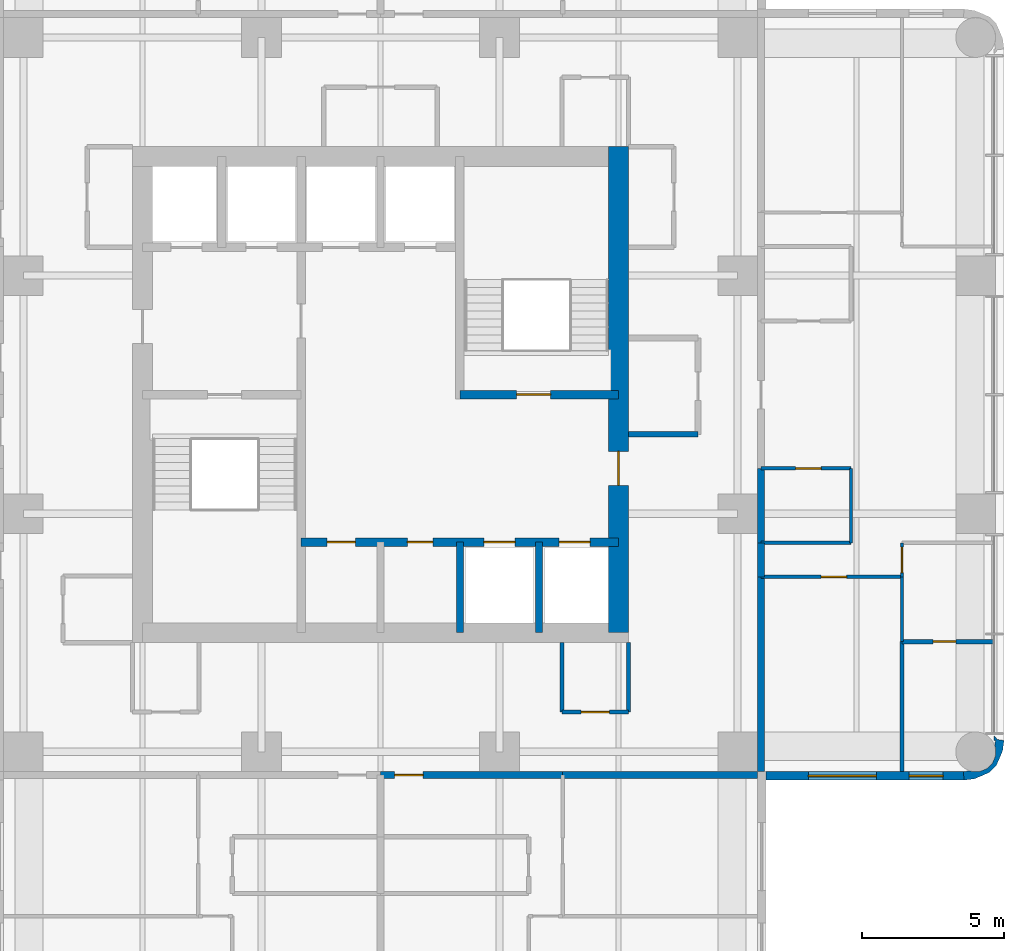
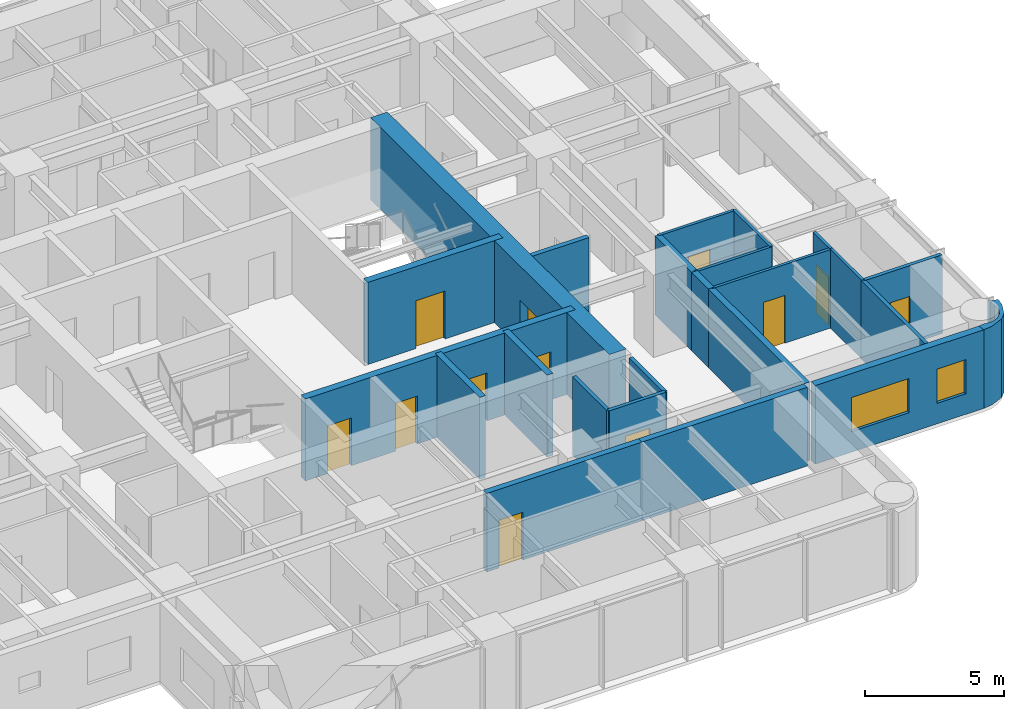
# One storey, part 7 of 11: 24 walls, 12 doors, 2 windows, 14 openings.
"""IFC4 building model written with IfcOpenShell, lengths in metres."""

import ifcopenshell
import ifcopenshell.guid

model = None  # the IFC model being written
_history = None  # IfcOwnerHistory: only IFC2X3 demands one
_inside = {}  # id of a spatial element -> (the spatial element, [elements in it])
_under = {}  # id of a project, library or spatial element -> (it, [spatial elements below it])
_declared = {}  # id of a project -> (the project, [libraries it declares])
_typed = {}  # id of a type object -> (the type object, [elements of that type])
_made_of = {}  # id of a material, layer set ... -> (it, [elements and type objects made of it])


def new_model(schema):
    """Start an empty IFC model of exactly this schema.

    Asked for "IFC4X3", IfcOpenShell would pick the latest addendum, in which some entities
    have other attributes; the version numbers below select the first issue.
    IFC2X3 requires an IfcOwnerHistory on every rooted entity: one is made here for all.
    """
    global model, _history
    if schema == "IFC4X3":
        model = ifcopenshell.file(schema_version=(4, 3, 0, 0))
    else:
        model = ifcopenshell.file(schema=schema)
    _inside.clear()
    _under.clear()
    _declared.clear()
    _typed.clear()
    _made_of.clear()
    _history = None
    if model.schema == "IFC2X3":
        org = make("IfcOrganization", Name="unknown")
        user = make(
            "IfcPersonAndOrganization",
            ThePerson=make("IfcPerson", FamilyName="unknown"),
            TheOrganization=org,
        )
        app = make(
            "IfcApplication",
            ApplicationDeveloper=org,
            Version="unknown",
            ApplicationFullName="unknown",
            ApplicationIdentifier="unknown",
        )
        _history = make(
            "IfcOwnerHistory",
            OwningUser=user,
            OwningApplication=app,
            ChangeAction="ADDED",
            CreationDate=0,
        )
    return model


def make(cls, **values):
    """One entity of the class cls with the attributes given. An attribute that is None is left unset."""
    return model.create_entity(
        cls, **{name: value for name, value in values.items() if value is not None}
    )


def rooted(cls, **values):
    """An entity with a GlobalId (a new one), such as an element, a storey or a relation."""
    return make(cls, GlobalId=ifcopenshell.guid.new(), OwnerHistory=_history, **values)


def si_unit(unit_type, name, prefix=None):
    """IfcSIUnit, for example si_unit("LENGTHUNIT", "METRE", prefix="MILLI")."""
    return make("IfcSIUnit", UnitType=unit_type, Prefix=prefix, Name=name)


def assignment(units):
    """IfcUnitAssignment: the units of a project."""
    return None if units is None else make("IfcUnitAssignment", Units=units)


def point(xyz):
    """IfcCartesianPoint."""
    return None if xyz is None else make("IfcCartesianPoint", Coordinates=xyz)


def direction(xyz):
    """IfcDirection."""
    return None if xyz is None else make("IfcDirection", DirectionRatios=xyz)


def frame(location, z_axis=None, x_axis=None):
    """IfcAxis2Placement3D, a coordinate frame: its origin and axes. An axis left out is left unset."""
    return make(
        "IfcAxis2Placement3D",
        Location=point(location),
        Axis=direction(z_axis),
        RefDirection=direction(x_axis),
    )


def frame_2d(location, x_axis=None):
    """IfcAxis2Placement2D, a coordinate frame in the plane: its origin and x axis."""
    return make(
        "IfcAxis2Placement2D", Location=point(location), RefDirection=direction(x_axis)
    )


def origin():
    """The frame at (0, 0, 0) with its axes left unset."""
    return frame((0.0, 0.0, 0.0))


def place(relative_to, where):
    """IfcLocalPlacement: puts the frame where relative to a parent placement (None: the world)."""
    return make(
        "IfcLocalPlacement", PlacementRelTo=relative_to, RelativePlacement=where
    )


def context(
    kind, dimensions, precision=None, world=None, true_north=None, identifier=None
):
    """IfcGeometricRepresentationContext, for example the 3D "Model" context."""
    return make(
        "IfcGeometricRepresentationContext",
        ContextIdentifier=identifier,
        ContextType=kind,
        CoordinateSpaceDimension=dimensions,
        Precision=precision,
        WorldCoordinateSystem=world,
        TrueNorth=true_north,
    )


def subcontext(parent, identifier, kind, view, scale=None):
    """IfcGeometricRepresentationSubContext, for example "Body" below "Model"."""
    return make(
        "IfcGeometricRepresentationSubContext",
        ContextIdentifier=identifier,
        ContextType=kind,
        ParentContext=parent,
        TargetScale=scale,
        TargetView=view,
    )


def project(units=None, contexts=None):
    """IfcProject with its units and contexts."""
    return rooted(
        "IfcProject",
        Name="project",
        RepresentationContexts=contexts,
        UnitsInContext=assignment(units),
    )


def spatial(cls, under=None, at=None, **own):
    """A site, building, storey or space (cls), placed at a placement, below another one or the project."""
    s = rooted(cls, ObjectPlacement=at, **own)
    if under is not None:
        _under.setdefault(under.id(), (under, []))[1].append(s)
    return s


def polyline(points):
    """IfcPolyline through the points."""
    return make("IfcPolyline", Points=[point(p) for p in points])


def profile(cls, at=None, kind="AREA", **sizes):
    """A parametric profile (cls). Its sizes go by their IFC names, for example OverallWidth=200.0."""
    return make(cls, ProfileType=kind, Position=at, **sizes)


def rectangle(**sizes):
    """IfcRectangleProfileDef."""
    return profile("IfcRectangleProfileDef", **sizes)


def outline(outer, holes=None, kind="AREA"):
    """IfcArbitraryClosedProfileDef: a profile drawn as a closed curve; with holes, ...WithVoids."""
    if holes is None:
        return make("IfcArbitraryClosedProfileDef", ProfileType=kind, OuterCurve=outer)
    return make(
        "IfcArbitraryProfileDefWithVoids",
        ProfileType=kind,
        OuterCurve=outer,
        InnerCurves=holes,
    )


def extrude(swept, where, along, depth):
    """IfcExtrudedAreaSolid: the profile swept, set in the frame where, extruded along a direction by depth."""
    return make(
        "IfcExtrudedAreaSolid",
        SweptArea=swept,
        Position=where,
        ExtrudedDirection=direction(along),
        Depth=depth,
    )


def shape(context_of_items, identifier, shape_type, items):
    """IfcShapeRepresentation: the items that make up one representation, for example the "Body"."""
    return make(
        "IfcShapeRepresentation",
        ContextOfItems=context_of_items,
        RepresentationIdentifier=identifier,
        RepresentationType=shape_type,
        Items=items,
    )


def material(Name=None, Category=None):
    """IfcMaterial."""
    return make("IfcMaterial", Name=Name, Category=Category)


def layer(
    of_material, thickness, ventilated=None, Name=None, Category=None, Priority=None
):
    """IfcMaterialLayer: one layer of a wall or slab, of a material (None: an air gap)."""
    return make(
        "IfcMaterialLayer",
        Material=of_material,
        LayerThickness=thickness,
        IsVentilated=ventilated,
        Name=Name,
        Category=Category,
        Priority=Priority,
    )


def layer_set(layers, Name=None):
    """IfcMaterialLayerSet."""
    return make("IfcMaterialLayerSet", MaterialLayers=layers, LayerSetName=Name)


def made_of(thing, what):
    """Note that an element or type object is made of a material, layer set ...; save() writes the relation."""
    if what is not None:
        _made_of.setdefault(what.id(), (what, []))[1].append(thing)
    return thing


def type_object(cls, material=None, **own):
    """A type object (cls), such as IfcWallType, which elements share."""
    return made_of(rooted(cls, **own), material)


def element(
    cls,
    number,
    at=None,
    inside=None,
    cuts=None,
    type_object=None,
    material=None,
    context=None,
    identifier="Body",
    shape_type=None,
    held_by="IfcProductDefinitionShape",
    body=None,
    shapes=None,
    **own,
):
    """One element of the class cls, such as IfcWall. Its Tag is "e" and its number.

    at: its placement. inside: the storey or other place that contains it. cuts: it is an
    opening in that element (IfcRelVoidsElement). A single representation is given by context,
    identifier, shape_type and body (its items); several are given by shapes. held_by: the class
    of the entity that holds the representations. save() writes the other relations.
    """
    e = rooted(cls, Tag="e%d" % number, ObjectPlacement=at, **own)
    if body is not None:
        shapes = [shape(context, identifier, shape_type, body)]
    if shapes is not None:
        e.Representation = make(held_by, Representations=shapes)
    if inside is not None:
        _inside.setdefault(inside.id(), (inside, []))[1].append(e)
    if cuts is not None:
        rooted(
            "IfcRelVoidsElement", RelatingBuildingElement=cuts, RelatedOpeningElement=e
        )
    if type_object is not None:
        _typed.setdefault(type_object.id(), (type_object, []))[1].append(e)
    return made_of(e, material)


def fill(opening, filler):
    """IfcRelFillsElement: the door or window that sits in an opening."""
    return rooted(
        "IfcRelFillsElement",
        RelatingOpeningElement=opening,
        RelatedBuildingElement=filler,
    )


def aggregate(whole, parts):
    """IfcRelAggregates: a whole, such as a stair, and the parts it consists of."""
    return rooted("IfcRelAggregates", RelatingObject=whole, RelatedObjects=parts)


def save(model, path):
    """Write the relations noted so far, then the file.

    IfcRelAggregates (storeys below a building ...), IfcRelContainedInSpatialStructure (elements
    in a storey), IfcRelDefinesByType, IfcRelAssociatesMaterial and IfcRelDeclares: one each for
    every whole, place, type object, material and project.
    """
    for whole, parts in _under.values():
        aggregate(whole, parts)
    for where, things in _inside.values():
        rooted(
            "IfcRelContainedInSpatialStructure",
            RelatedElements=things,
            RelatingStructure=where,
        )
    for kind, things in _typed.values():
        rooted("IfcRelDefinesByType", RelatedObjects=things, RelatingType=kind)
    for what, things in _made_of.values():
        rooted("IfcRelAssociatesMaterial", RelatedObjects=things, RelatingMaterial=what)
    for by, libraries in _declared.values():
        rooted("IfcRelDeclares", RelatingContext=by, RelatedDefinitions=libraries)
    model.write(path)


model = new_model("IFC4")

# Units and contexts
model_context = context("Model", 3, precision=1e-05, world=origin(), true_north=direction((0.0, 1.0)))
body_context = subcontext(model_context, "Body", "Model", "MODEL_VIEW")
ifc_project = project(units=[si_unit("LENGTHUNIT", "METRE"), si_unit("AREAUNIT", "SQUARE_METRE"), si_unit("VOLUMEUNIT", "CUBIC_METRE"), si_unit("PLANEANGLEUNIT", "RADIAN"), si_unit("MASSUNIT", "GRAM", prefix="KILO")], contexts=[model_context])

# Site, building, storey
site_placement = place(None, origin())
site = spatial("IfcSite", under=ifc_project, at=site_placement, CompositionType="ELEMENT")
building_placement = place(site_placement, origin())
building = spatial("IfcBuilding", under=site, at=building_placement, Name="Torre Alcanfor", CompositionType="ELEMENT")
storey_placement = place(building_placement, frame((0.0, 0.0, 212.10009765625)))
storey = spatial("IfcBuildingStorey", under=building, at=storey_placement, Name="L55", CompositionType="ELEMENT", Elevation=212.10009765625)

# Walls
ifc_material_1 = material(Name="Concrete block masonry, hollow blocks NMX-C-404 9 MPa", Category="masonry")
ifc_layer_1 = layer(ifc_material_1, 0.25)
ifc_layer_set_1 = layer_set([ifc_layer_1], Name="Apartment entrance wall 250 EI 60")
wall_type_1 = type_object("IfcWallType", Name="Apartment entrance wall 250 EI 60", PredefinedType="PARTITIONING", material=ifc_layer_set_1)
wall_1_placement = place(storey_placement, frame((42.824951171875, 26.800048828125, 0.0), z_axis=(0.0, 0.0, 1.0), x_axis=(0.0, -1.0, 0.0)))
element("IfcWall", 1, at=wall_1_placement, inside=storey, type_object=wall_type_1, Name="Partition L55-CORR / L55-EX-KITCHEN", PredefinedType="PARTITIONING", context=body_context, shape_type="SweptSolid", body=[
    extrude(rectangle(XDim=2.629150390625, YDim=0.25, at=frame_2d((1.314453125, 0.0))), origin(), (0.0, 0.0, 1.0), 3.449951171875),
])
wall_2_placement = place(storey_placement, frame((42.824951171875, 24.1708984375, 0.0), z_axis=(0.0, 0.0, 1.0), x_axis=(0.0, -1.0, 0.0)))
element("IfcWall", 2, at=wall_2_placement, inside=storey, type_object=wall_type_1, Name="Partition L55-CORR / L55-EX-LIVING", PredefinedType="PARTITIONING", context=body_context, shape_type="SweptSolid", body=[
    extrude(rectangle(XDim=1.199951171875, YDim=0.25, at=frame_2d((0.60009765625, 0.0))), origin(), (0.0, 0.0, 1.0), 3.449951171875),
])
wall_3_placement = place(storey_placement, frame((42.824951171875, 22.970947265625, 0.0), z_axis=(0.0, 0.0, 1.0), x_axis=(0.0, -1.0, 0.0)))
element("IfcWall", 3, at=wall_3_placement, inside=storey, type_object=wall_type_1, Name="Partition L55-CORR / L55-EX-BED3", PredefinedType="PARTITIONING", context=body_context, shape_type="SweptSolid", body=[
    extrude(rectangle(XDim=6.870849609375, YDim=0.25, at=frame_2d((3.435546875, 0.0))), origin(), (0.0, 0.0, 1.0), 3.449951171875),
])

# Wall, opening, door
wall_4_placement = place(storey_placement, frame((35.8291015625, 15.97509765625, 0.0), z_axis=(0.0, 0.0, 1.0), x_axis=(-1.0, 0.0, 0.0)))
wall_4 = element("IfcWall", 4, at=wall_4_placement, inside=storey, type_object=wall_type_1, Name="Partition L55-CORR / L55-S1-LIVING", PredefinedType="PARTITIONING", context=body_context, shape_type="SweptSolid", body=[
    extrude(rectangle(XDim=6.42919921875, YDim=0.25, at=frame_2d((3.214599609375, 0.0))), origin(), (0.0, 0.0, 1.0), 3.449951171875),
])
opening_1_placement = place(wall_4_placement, frame((4.928955078125, 0.0, 0.0)))
opening_1 = element("IfcOpeningElement", 5, at=opening_1_placement, cuts=wall_4, Name="Opening D-A1", PredefinedType="OPENING", context=body_context, shape_type="SweptSolid", body=[
    extrude(rectangle(XDim=1.0, YDim=2.10009765625, at=frame_2d((0.5, 1.050048828125))), frame((0.0, 0.135009765625, 0.0), z_axis=(0.0, -1.0, 0.0), x_axis=(1.0, 0.0, 0.0)), (0.0, 0.0, 1.0), 0.27001953125),
])
ifc_material_2 = material(Name="Galvanised steel sheet ASTM A653", Category="steel")
door_type_1 = type_object("IfcDoorType", Name="Apartment entrance door FD60 1000x2100", OperationType="SINGLE_SWING_LEFT", PredefinedType="DOOR", material=ifc_material_2)
door_1_placement = place(opening_1_placement, origin())
door_1 = element("IfcDoor", 6, at=door_1_placement, inside=storey, type_object=door_type_1, Name="Apartment entrance L55-S1", OperationType="SINGLE_SWING_RIGHT", OverallHeight=2.10009765625, OverallWidth=1.0, PredefinedType="DOOR", context=body_context, shape_type="SweptSolid", body=[
    extrude(rectangle(XDim=1.0, YDim=2.10009765625, at=frame_2d((0.5, 1.050048828125))), frame((0.0, 0.02490234375, 0.0), z_axis=(0.0, -1.0, 0.0), x_axis=(1.0, 0.0, 0.0)), (0.0, 0.0, 1.0), 0.050048828125),
])
fill(opening_1, door_1)

# Wall
wall_5_placement = place(storey_placement, frame((42.699951171875, 15.97509765625, 0.0), z_axis=(0.0, 0.0, 1.0), x_axis=(-1.0, 0.0, 0.0)))
element("IfcWall", 7, at=wall_5_placement, inside=storey, type_object=wall_type_1, Name="Partition L55-CORR / L55-S1-BED2", PredefinedType="PARTITIONING", context=body_context, shape_type="SweptSolid", body=[
    extrude(rectangle(XDim=6.870849609375, YDim=0.25, at=frame_2d((3.435546875, 0.0))), origin(), (0.0, 0.0, 1.0), 3.449951171875),
])

# Wall, opening, door
ifc_material_3 = material(Name="Gypsum board on steel studs", Category="steel")
ifc_layer_2 = layer(ifc_material_3, 0.1201171875)
ifc_layer_set_2 = layer_set([ifc_layer_2], Name="Apartment partition 120")
wall_type_2 = type_object("IfcWallType", Name="Apartment partition 120", PredefinedType="PARTITIONING", material=ifc_layer_set_2)
wall_6_placement = place(storey_placement, frame((42.824951171875, 26.800048828125, 0.0), z_axis=(0.0, 0.0, 1.0), x_axis=(1.0, 0.0, 0.0)))
wall_6 = element("IfcWall", 8, at=wall_6_placement, inside=storey, type_object=wall_type_2, Name="Partition L55-EX-ZAG / L55-EX-KITCHEN", PredefinedType="PARTITIONING", context=body_context, shape_type="SweptSolid", body=[
    extrude(rectangle(XDim=3.175048828125, YDim=0.1201171875, at=frame_2d((1.58740234375, 0.0))), origin(), (0.0, 0.0, 1.0), 3.449951171875),
])
opening_2_placement = place(wall_6_placement, frame((1.22509765625, 0.0, 0.0)))
opening_2 = element("IfcOpeningElement", 9, at=opening_2_placement, cuts=wall_6, Name="Opening D-R1", PredefinedType="OPENING", context=body_context, shape_type="SweptSolid", body=[
    extrude(rectangle(XDim=0.89990234375, YDim=2.10009765625, at=frame_2d((0.449951171875, 1.050048828125))), frame((0.0, 0.070068359375, 0.0), z_axis=(0.0, -1.0, 0.0), x_axis=(1.0, 0.0, 0.0)), (0.0, 0.0, 1.0), 0.14013671875),
])
ifc_material_4 = material(Name="Timber", Category="wood")
door_type_2 = type_object("IfcDoorType", Name="Internal door 900x2100", OperationType="SINGLE_SWING_LEFT", PredefinedType="DOOR", material=ifc_material_4)
door_2_placement = place(opening_2_placement, frame((0.89990234375, 0.0, 0.0), z_axis=(0.0, 0.0, 1.0), x_axis=(-1.0, 0.0, 0.0)))
door_2 = element("IfcDoor", 10, at=door_2_placement, inside=storey, type_object=door_type_2, Name="Door L55-EX kitchen", OperationType="SINGLE_SWING_LEFT", OverallHeight=2.10009765625, OverallWidth=0.89990234375, PredefinedType="DOOR", context=body_context, shape_type="SweptSolid", body=[
    extrude(rectangle(XDim=0.89990234375, YDim=2.10009765625, at=frame_2d((0.449951171875, 1.050048828125))), frame((0.0, 0.025146484375, 0.0), z_axis=(0.0, -1.0, 0.0), x_axis=(1.0, 0.0, 0.0)), (0.0, 0.0, 1.0), 0.050048828125),
])
fill(opening_2, door_2)

# Walls
wall_7_placement = place(storey_placement, frame((42.824951171875, 24.1708984375, 0.0), z_axis=(0.0, 0.0, 1.0), x_axis=(1.0, 0.0, 0.0)))
element("IfcWall", 11, at=wall_7_placement, inside=storey, type_object=wall_type_2, Name="Partition L55-EX-KITCHEN / L55-EX-LIVING", PredefinedType="PARTITIONING", context=body_context, shape_type="SweptSolid", body=[
    extrude(rectangle(XDim=3.175048828125, YDim=0.1201171875, at=frame_2d((1.58740234375, 0.0))), origin(), (0.0, 0.0, 1.0), 3.449951171875),
])
wall_8_placement = place(storey_placement, frame((46.0, 24.1708984375, 0.0), z_axis=(0.0, 0.0, 1.0), x_axis=(0.0, 1.0, 0.0)))
element("IfcWall", 12, at=wall_8_placement, inside=storey, type_object=wall_type_2, Name="Partition L55-EX-KITCHEN / L55-EX-LIVING", PredefinedType="PARTITIONING", context=body_context, shape_type="SweptSolid", body=[
    extrude(rectangle(XDim=2.629150390625, YDim=0.1201171875, at=frame_2d((1.314453125, 0.0))), origin(), (0.0, 0.0, 1.0), 3.449951171875),
])

# Wall, opening, door
wall_9_placement = place(storey_placement, frame((47.800048828125, 22.970947265625, 0.0), z_axis=(0.0, 0.0, 1.0), x_axis=(-1.0, 0.0, 0.0)))
wall_9 = element("IfcWall", 13, at=wall_9_placement, inside=storey, type_object=wall_type_2, Name="Partition L55-EX-LIVING / L55-EX-BED3", PredefinedType="PARTITIONING", context=body_context, shape_type="SweptSolid", body=[
    extrude(rectangle(XDim=4.97509765625, YDim=0.1201171875, at=frame_2d((2.487548828125, 0.0))), origin(), (0.0, 0.0, 1.0), 3.449951171875),
])
opening_3_placement = place(wall_9_placement, frame((1.949951171875, 0.0, 0.0)))
opening_3 = element("IfcOpeningElement", 14, at=opening_3_placement, cuts=wall_9, Name="Opening D-R1", PredefinedType="OPENING", context=body_context, shape_type="SweptSolid", body=[
    extrude(rectangle(XDim=0.89990234375, YDim=2.10009765625, at=frame_2d((0.449951171875, 1.050048828125))), frame((0.0, 0.070068359375, 0.0), z_axis=(0.0, -1.0, 0.0), x_axis=(1.0, 0.0, 0.0)), (0.0, 0.0, 1.0), 0.14013671875),
])
door_3_placement = place(opening_3_placement, origin())
door_3 = element("IfcDoor", 15, at=door_3_placement, inside=storey, type_object=door_type_2, Name="Door L55-EX bed3", OperationType="SINGLE_SWING_LEFT", OverallHeight=2.10009765625, OverallWidth=0.89990234375, PredefinedType="DOOR", context=body_context, shape_type="SweptSolid", body=[
    extrude(rectangle(XDim=0.89990234375, YDim=2.10009765625, at=frame_2d((0.449951171875, 1.050048828125))), frame((0.0, 0.02490234375, 0.0), z_axis=(0.0, -1.0, 0.0), x_axis=(1.0, 0.0, 0.0)), (0.0, 0.0, 1.0), 0.050048828125),
])
fill(opening_3, door_3)

wall_10_placement = place(storey_placement, frame((47.800048828125, 24.1708984375, 0.0), z_axis=(0.0, 0.0, 1.0), x_axis=(0.0, -1.0, 0.0)))
wall_10 = element("IfcWall", 16, at=wall_10_placement, inside=storey, type_object=wall_type_2, Name="Partition L55-EX-LIVING / L55-EX-BED1", PredefinedType="PARTITIONING", context=body_context, shape_type="SweptSolid", body=[
    extrude(rectangle(XDim=1.199951171875, YDim=0.1201171875, at=frame_2d((0.60009765625, 0.0))), origin(), (0.0, 0.0, 1.0), 3.449951171875),
])
opening_4_placement = place(wall_10_placement, frame((0.15087890625, 0.0, 0.0)))
opening_4 = element("IfcOpeningElement", 17, at=opening_4_placement, cuts=wall_10, Name="Opening D-R1", PredefinedType="OPENING", context=body_context, shape_type="SweptSolid", body=[
    extrude(rectangle(XDim=0.89990234375, YDim=2.10009765625, at=frame_2d((0.449951171875, 1.050048828125))), frame((0.0, 0.070068359375, 0.0), z_axis=(0.0, -1.0, 0.0), x_axis=(1.0, 0.0, 0.0)), (0.0, 0.0, 1.0), 0.14013671875),
])
door_4_placement = place(opening_4_placement, origin())
door_4 = element("IfcDoor", 18, at=door_4_placement, inside=storey, type_object=door_type_2, Name="Door L55-EX bed1", OperationType="SINGLE_SWING_LEFT", OverallHeight=2.10009765625, OverallWidth=0.89990234375, PredefinedType="DOOR", context=body_context, shape_type="SweptSolid", body=[
    extrude(rectangle(XDim=0.89990234375, YDim=2.10009765625, at=frame_2d((0.449951171875, 1.050048828125))), frame((0.0, 0.02490234375, 0.0), z_axis=(0.0, -1.0, 0.0), x_axis=(1.0, 0.0, 0.0)), (0.0, 0.0, 1.0), 0.050048828125),
])
fill(opening_4, door_4)

# Wall
wall_11_placement = place(storey_placement, frame((47.800048828125, 20.68603515625, 0.0), z_axis=(0.0, 0.0, 1.0), x_axis=(0.0, 1.0, 0.0)))
element("IfcWall", 19, at=wall_11_placement, inside=storey, type_object=wall_type_2, Name="Partition L55-EX-BED3 / L55-EX-BED1", PredefinedType="PARTITIONING", context=body_context, shape_type="SweptSolid", body=[
    extrude(rectangle(XDim=2.284912109375, YDim=0.1201171875, at=frame_2d((1.142578125, 0.0))), origin(), (0.0, 0.0, 1.0), 3.449951171875),
])

# Wall, openings, doors
ifc_material_5 = material(Name="Concrete f'c 70 MPa", Category="concrete")
ifc_layer_3 = layer(ifc_material_5, 0.300048828125)
ifc_layer_set_3 = layer_set([ifc_layer_3], Name="Core inner wall 300 f'c70")
wall_type_3 = type_object("IfcWallType", Name="Core inner wall 300 f'c70", PredefinedType="SHEAR", material=ifc_layer_set_3)
wall_12_placement = place(storey_placement, frame((26.60009765625, 24.199951171875, 0.0), z_axis=(0.0, 0.0, 1.0), x_axis=(1.0, 0.0, 0.0)))
wall_12 = element("IfcWall", 20, at=wall_12_placement, inside=storey, type_object=wall_type_3, Name="Core wall Y242 L55", PredefinedType="SHEAR", context=body_context, shape_type="SweptSolid", body=[
    extrude(rectangle(XDim=11.199951171875, YDim=0.300048828125, at=frame_2d((5.60009765625, 0.0))), origin(), (0.0, 0.0, 1.0), 3.599853515625),
])
opening_5_placement = place(wall_12_placement, frame((0.91259765625, 0.0, 0.0)))
opening_5 = element("IfcOpeningElement", 21, at=opening_5_placement, cuts=wall_12, Name="Opening D-K1", PredefinedType="OPENING", context=body_context, shape_type="SweptSolid", body=[
    extrude(rectangle(XDim=1.0, YDim=2.10009765625, at=frame_2d((0.5, 1.050048828125))), frame((0.0, 0.159912109375, 0.0), z_axis=(0.0, -1.0, 0.0), x_axis=(1.0, 0.0, 0.0)), (0.0, 0.0, 1.0), 0.320068359375),
])
opening_6_placement = place(wall_12_placement, frame((3.75, 0.0, 0.0)))
opening_6 = element("IfcOpeningElement", 22, at=opening_6_placement, cuts=wall_12, Name="Opening D-Q1", PredefinedType="OPENING", context=body_context, shape_type="SweptSolid", body=[
    extrude(rectangle(XDim=0.89990234375, YDim=2.10009765625, at=frame_2d((0.449951171875, 1.050048828125))), frame((0.0, 0.159912109375, 0.0), z_axis=(0.0, -1.0, 0.0), x_axis=(1.0, 0.0, 0.0)), (0.0, 0.0, 1.0), 0.320068359375),
])
opening_7_placement = place(wall_12_placement, frame((6.449951171875, 0.0, 0.0)))
opening_7 = element("IfcOpeningElement", 23, at=opening_7_placement, cuts=wall_12, Name="Opening LD1", PredefinedType="OPENING", context=body_context, shape_type="SweptSolid", body=[
    extrude(rectangle(XDim=1.10009765625, YDim=2.10009765625, at=frame_2d((0.550048828125, 1.050048828125))), frame((0.0, 0.159912109375, 0.0), z_axis=(0.0, -1.0, 0.0), x_axis=(1.0, 0.0, 0.0)), (0.0, 0.0, 1.0), 0.320068359375),
])
opening_8_placement = place(wall_12_placement, frame((9.10009765625, 0.0, 0.0)))
opening_8 = element("IfcOpeningElement", 24, at=opening_8_placement, cuts=wall_12, Name="Opening LD1", PredefinedType="OPENING", context=body_context, shape_type="SweptSolid", body=[
    extrude(rectangle(XDim=1.10009765625, YDim=2.10009765625, at=frame_2d((0.550048828125, 1.050048828125))), frame((0.0, 0.159912109375, 0.0), z_axis=(0.0, -1.0, 0.0), x_axis=(1.0, 0.0, 0.0)), (0.0, 0.0, 1.0), 0.320068359375),
])
ifc_material_6 = material(Name="Galvanised steel sheet ASTM A653", Category="steel")
door_type_3 = type_object("IfcDoorType", Name="Core room door FD60 1000x2100", OperationType="SINGLE_SWING_LEFT", PredefinedType="DOOR", material=ifc_material_6)
door_5_placement = place(opening_5_placement, frame((1.0, 0.0, 0.0), z_axis=(0.0, 0.0, 1.0), x_axis=(-1.0, 0.0, 0.0)))
door_5 = element("IfcDoor", 25, at=door_5_placement, inside=storey, type_object=door_type_3, Name="Linen store door L55", OperationType="SINGLE_SWING_RIGHT", OverallHeight=2.10009765625, OverallWidth=1.0, PredefinedType="DOOR", context=body_context, shape_type="SweptSolid", body=[
    extrude(rectangle(XDim=1.0, YDim=2.10009765625, at=frame_2d((0.5, 1.050048828125))), frame((0.0, 0.025146484375, 0.0), z_axis=(0.0, -1.0, 0.0), x_axis=(1.0, 0.0, 0.0)), (0.0, 0.0, 1.0), 0.050048828125),
])
fill(opening_5, door_5)
ifc_material_7 = material(Name="Galvanised steel sheet ASTM A653", Category="steel")
door_type_4 = type_object("IfcDoorType", Name="Lift landing door 1100x2100", OperationType="DOUBLE_DOOR_SLIDING", PredefinedType="DOOR", material=ifc_material_7)
door_6_placement = place(opening_7_placement, origin())
door_6 = element("IfcDoor", 26, at=door_6_placement, inside=storey, type_object=door_type_4, Name="Lift landing door PA3 L55", OperationType="DOUBLE_DOOR_SLIDING", OverallHeight=2.10009765625, OverallWidth=1.10009765625, PredefinedType="DOOR", context=body_context, shape_type="SweptSolid", body=[
    extrude(rectangle(XDim=1.10009765625, YDim=2.10009765625, at=frame_2d((0.550048828125, 1.050048828125))), frame((0.0, 0.02490234375, 0.0), z_axis=(0.0, -1.0, 0.0), x_axis=(1.0, 0.0, 0.0)), (0.0, 0.0, 1.0), 0.050048828125),
])
fill(opening_7, door_6)
door_7_placement = place(opening_8_placement, origin())
door_7 = element("IfcDoor", 27, at=door_7_placement, inside=storey, type_object=door_type_4, Name="Lift landing door PA4 L55", OperationType="DOUBLE_DOOR_SLIDING", OverallHeight=2.10009765625, OverallWidth=1.10009765625, PredefinedType="DOOR", context=body_context, shape_type="SweptSolid", body=[
    extrude(rectangle(XDim=1.10009765625, YDim=2.10009765625, at=frame_2d((0.550048828125, 1.050048828125))), frame((0.0, 0.02490234375, 0.0), z_axis=(0.0, -1.0, 0.0), x_axis=(1.0, 0.0, 0.0)), (0.0, 0.0, 1.0), 0.050048828125),
])
fill(opening_8, door_7)
ifc_material_8 = material(Name="Galvanised steel sheet ASTM A653", Category="steel")
door_type_5 = type_object("IfcDoorType", Name="Riser access door FD120 900x2100", OperationType="SINGLE_SWING_LEFT", PredefinedType="DOOR", material=ifc_material_8)
door_8_placement = place(opening_6_placement, frame((0.89990234375, 0.0, 0.0), z_axis=(0.0, 0.0, 1.0), x_axis=(-1.0, 0.0, 0.0)))
door_8 = element("IfcDoor", 28, at=door_8_placement, inside=storey, type_object=door_type_5, Name="Riser door L55", OperationType="SINGLE_SWING_RIGHT", OverallHeight=2.10009765625, OverallWidth=0.89990234375, PredefinedType="DOOR", context=body_context, shape_type="SweptSolid", body=[
    extrude(rectangle(XDim=0.89990234375, YDim=2.10009765625, at=frame_2d((0.449951171875, 1.050048828125))), frame((0.0, 0.025146484375, 0.0), z_axis=(0.0, -1.0, 0.0), x_axis=(1.0, 0.0, 0.0)), (0.0, 0.0, 1.0), 0.050048828125),
])
fill(opening_6, door_8)

# Wall, opening, door
wall_13_placement = place(storey_placement, frame((32.199951171875, 29.39990234375, 0.0), z_axis=(0.0, 0.0, 1.0), x_axis=(1.0, 0.0, 0.0)))
wall_13 = element("IfcWall", 29, at=wall_13_placement, inside=storey, type_object=wall_type_3, Name="Core wall Y294E L55", PredefinedType="SHEAR", context=body_context, shape_type="SweptSolid", body=[
    extrude(rectangle(XDim=5.60009765625, YDim=0.300048828125, at=frame_2d((2.800048828125, 0.0))), origin(), (0.0, 0.0, 1.0), 3.599853515625),
])
opening_9_placement = place(wall_13_placement, frame((2.0, 0.0, 0.0)))
opening_9 = element("IfcOpeningElement", 30, at=opening_9_placement, cuts=wall_13, Name="Opening D-S2", PredefinedType="OPENING", context=body_context, shape_type="SweptSolid", body=[
    extrude(rectangle(XDim=1.199951171875, YDim=2.10009765625, at=frame_2d((0.60009765625, 1.050048828125))), frame((0.0, 0.159912109375, 0.0), z_axis=(0.0, -1.0, 0.0), x_axis=(1.0, 0.0, 0.0)), (0.0, 0.0, 1.0), 0.320068359375),
])
ifc_material_9 = material(Name="Galvanised steel sheet ASTM A653", Category="steel")
door_type_6 = type_object("IfcDoorType", Name="Stair enclosure door FD120 1200x2100", OperationType="SINGLE_SWING_LEFT", PredefinedType="DOOR", material=ifc_material_9)
door_9_placement = place(opening_9_placement, origin())
door_9 = element("IfcDoor", 31, at=door_9_placement, inside=storey, type_object=door_type_6, Name="Stair S2 door L55", OperationType="SINGLE_SWING_LEFT", OverallHeight=2.10009765625, OverallWidth=1.199951171875, PredefinedType="DOOR", context=body_context, shape_type="SweptSolid", body=[
    extrude(rectangle(XDim=1.199951171875, YDim=2.10009765625, at=frame_2d((0.60009765625, 1.050048828125))), frame((0.0, 0.02490234375, 0.0), z_axis=(0.0, -1.0, 0.0), x_axis=(1.0, 0.0, 0.0)), (0.0, 0.0, 1.0), 0.050048828125),
])
fill(opening_9, door_9)

# Walls
ifc_material_10 = material(Name="Concrete f'c 70 MPa", Category="concrete")
ifc_layer_4 = layer(ifc_material_10, 0.25)
ifc_layer_set_4 = layer_set([ifc_layer_4], Name="Core shaft wall 250 f'c70")
wall_type_4 = type_object("IfcWallType", Name="Core shaft wall 250 f'c70", PredefinedType="SHEAR", material=ifc_layer_set_4)
for number, where, z_axis, x_axis, name in (
    (32, (32.199951171875, 21.0, 0.0), (0.0, 0.0, 1.0), (0.0, 1.0, 0.0), "Core wall X322S L55"),
    (33, (35.0, 21.0, 0.0), (0.0, 0.0, 1.0), (0.0, 1.0, 0.0), "Core wall X350S L55"),
):
    element("IfcWall", number, at=place(storey_placement, frame(where, z_axis=z_axis, x_axis=x_axis)), inside=storey, type_object=wall_type_4, Name=name, PredefinedType="SHEAR", context=body_context, shape_type="SweptSolid", body=[
        extrude(rectangle(XDim=3.199951171875, YDim=0.25, at=frame_2d((1.60009765625, 0.0))), origin(), (0.0, 0.0, 1.0), 3.599853515625),
    ])

# Wall, opening, door
ifc_material_11 = material(Name="Concrete f'c 70 MPa", Category="concrete")
ifc_layer_5 = layer(ifc_material_11, 0.699951171875)
ifc_layer_set_5 = layer_set([ifc_layer_5], Name="Core wall 700 f'c70")
wall_type_5 = type_object("IfcWallType", Name="Core wall 700 f'c70", PredefinedType="SHEAR", material=ifc_layer_set_5)
wall_14_placement = place(storey_placement, frame((37.800048828125, 21.0, 0.0), z_axis=(0.0, 0.0, 1.0), x_axis=(0.0, 1.0, 0.0)))
wall_14 = element("IfcWall", 34, at=wall_14_placement, inside=storey, type_object=wall_type_5, Name="Core wall OUT-E L55", PredefinedType="SHEAR", context=body_context, shape_type="SweptSolid", body=[
    extrude(rectangle(XDim=17.14990234375, YDim=0.699951171875, at=frame_2d((8.574951171875, 0.0))), origin(), (0.0, 0.0, 1.0), 3.599853515625),
])
opening_10_placement = place(wall_14_placement, frame((5.199951171875, 0.0, 0.0)))
opening_10 = element("IfcOpeningElement", 35, at=opening_10_placement, cuts=wall_14, Name="Opening D-L1", PredefinedType="OPENING", context=body_context, shape_type="SweptSolid", body=[
    extrude(rectangle(XDim=1.199951171875, YDim=2.10009765625, at=frame_2d((0.60009765625, 1.050048828125))), frame((0.0, 0.35986328125, 0.0), z_axis=(0.0, -1.0, 0.0), x_axis=(1.0, 0.0, 0.0)), (0.0, 0.0, 1.0), 0.719970703125),
])
ifc_material_12 = material(Name="Galvanised steel sheet ASTM A653", Category="steel")
door_type_7 = type_object("IfcDoorType", Name="Lobby door FD120 1200x2100", OperationType="SINGLE_SWING_LEFT", PredefinedType="DOOR", material=ifc_material_12)
door_10_placement = place(opening_10_placement, origin())
door_10 = element("IfcDoor", 36, at=door_10_placement, inside=storey, type_object=door_type_7, Name="Lift lobby entrance door L55", OperationType="SINGLE_SWING_LEFT", OverallHeight=2.10009765625, OverallWidth=1.199951171875, PredefinedType="DOOR", context=body_context, shape_type="SweptSolid", body=[
    extrude(rectangle(XDim=1.199951171875, YDim=2.10009765625, at=frame_2d((0.60009765625, 1.050048828125))), frame((0.0, 0.02490234375, 0.0), z_axis=(0.0, -1.0, 0.0), x_axis=(1.0, 0.0, 0.0)), (0.0, 0.0, 1.0), 0.050048828125),
])
fill(opening_10, door_10)

# Wall, openings, windows
ifc_material_13 = material(Name="Limestone cladding", Category="masonry")
ifc_layer_6 = layer(ifc_material_13, 0.0400390625, Name="Facing")
ifc_material_14 = material(Name="Ventilated air cavity")
ifc_layer_7 = layer(ifc_material_14, 0.02001953125, ventilated=True, Name="Ventilated joint")
ifc_material_15 = material(Name="Mineral wool insulation", Category="insulation")
ifc_layer_8 = layer(ifc_material_15, 0.10009765625, Name="Insulation")
ifc_material_16 = material(Name="Concrete f'c 35 MPa", Category="concrete")
ifc_layer_9 = layer(ifc_material_16, 0.139892578125, Name="Backing")
ifc_layer_set_6 = layer_set([ifc_layer_6, ifc_layer_7, ifc_layer_8, ifc_layer_9], Name="External wall stone-clad 300")
wall_type_6 = type_object("IfcWallType", Name="External wall stone-clad 300", PredefinedType="SOLIDWALL", material=ifc_layer_set_6)
wall_15_placement = place(storey_placement, frame((43.0, 15.949951171875, 0.0), z_axis=(0.0, 0.0, 1.0), x_axis=(1.0, 0.0, 0.0)))
wall_15 = element("IfcWall", 37, at=wall_15_placement, inside=storey, type_object=wall_type_6, Name="External wall L55 7", PredefinedType="SOLIDWALL", context=body_context, shape_type="SweptSolid", body=[
    extrude(rectangle(XDim=7.0, YDim=0.300048828125, at=frame_2d((3.5, 0.0))), origin(), (0.0, 0.0, 1.0), 3.449951171875),
])
opening_11_placement = place(wall_15_placement, frame((1.5, 0.0, 0.89990234375)))
opening_11 = element("IfcOpeningElement", 38, at=opening_11_placement, cuts=wall_15, Name="Opening W1", PredefinedType="OPENING", context=body_context, shape_type="SweptSolid", body=[
    extrude(rectangle(XDim=2.39990234375, YDim=1.5, at=frame_2d((1.199951171875, 0.75))), frame((0.0, 0.159912109375, 0.0), z_axis=(0.0, -1.0, 0.0), x_axis=(1.0, 0.0, 0.0)), (0.0, 0.0, 1.0), 0.320068359375),
])
opening_12_placement = place(wall_15_placement, frame((5.050048828125, 0.0, 0.89990234375)))
opening_12 = element("IfcOpeningElement", 39, at=opening_12_placement, cuts=wall_15, Name="Opening W4", PredefinedType="OPENING", context=body_context, shape_type="SweptSolid", body=[
    extrude(rectangle(XDim=1.199951171875, YDim=1.5, at=frame_2d((0.60009765625, 0.75))), frame((0.0, 0.159912109375, 0.0), z_axis=(0.0, -1.0, 0.0), x_axis=(1.0, 0.0, 0.0)), (0.0, 0.0, 1.0), 0.320068359375),
])
ifc_material_17 = material(Name="Aluminium frame with clear double glazing", Category="aluminium")
window_type_1 = type_object("IfcWindowType", Name="Window bedroom 1200x1500", PartitioningType="SINGLE_PANEL", PredefinedType="WINDOW", material=ifc_material_17)
window_1_placement = place(opening_12_placement, origin())
window_1 = element("IfcWindow", 40, at=window_1_placement, inside=storey, type_object=window_type_1, Name="Window W4 L55-E2", OverallHeight=1.5, OverallWidth=1.199951171875, PartitioningType="SINGLE_PANEL", PredefinedType="WINDOW", context=body_context, shape_type="SweptSolid", body=[
    extrude(rectangle(XDim=1.199951171875, YDim=1.5, at=frame_2d((0.60009765625, 0.75))), frame((0.0, 0.030029296875, 0.0), z_axis=(0.0, -1.0, 0.0), x_axis=(1.0, 0.0, 0.0)), (0.0, 0.0, 1.0), 0.06005859375),
])
fill(opening_12, window_1)
ifc_material_18 = material(Name="Aluminium frame with clear double glazing", Category="aluminium")
window_type_2 = type_object("IfcWindowType", Name="Window bedroom 2400x1500", PartitioningType="SINGLE_PANEL", PredefinedType="WINDOW", material=ifc_material_18)
window_2_placement = place(opening_11_placement, origin())
window_2 = element("IfcWindow", 41, at=window_2_placement, inside=storey, type_object=window_type_2, Name="Window W1 L55-E2", OverallHeight=1.5, OverallWidth=2.39990234375, PartitioningType="SINGLE_PANEL", PredefinedType="WINDOW", context=body_context, shape_type="SweptSolid", body=[
    extrude(rectangle(XDim=2.39990234375, YDim=1.5, at=frame_2d((1.199951171875, 0.75))), frame((0.0, 0.030029296875, 0.0), z_axis=(0.0, -1.0, 0.0), x_axis=(1.0, 0.0, 0.0)), (0.0, 0.0, 1.0), 0.06005859375),
])
fill(opening_11, window_2)

# Walls
ifc_material_19 = material(Name="Concrete block masonry, hollow blocks NMX-C-404 9 MPa", Category="masonry")
ifc_layer_10 = layer(ifc_material_19, 0.199951171875)
ifc_layer_set_7 = layer_set([ifc_layer_10], Name="Plant room wall 200 EI 60")
wall_type_7 = type_object("IfcWallType", Name="Plant room wall 200 EI 60", PredefinedType="PARTITIONING", material=ifc_layer_set_7)
wall_16_placement = place(storey_placement, frame((38.14990234375, 28.0, 0.0), z_axis=(0.0, 0.0, 1.0), x_axis=(1.0, 0.0, 0.0)))
element("IfcWall", 42, at=wall_16_placement, inside=storey, type_object=wall_type_7, Name="Partition L55-CORR / L55-G03", PredefinedType="PARTITIONING", context=body_context, shape_type="SweptSolid", body=[
    extrude(rectangle(XDim=2.4501953125, YDim=0.199951171875, at=frame_2d((1.22509765625, 0.0))), origin(), (0.0, 0.0, 1.0), 3.449951171875),
])
ifc_material_20 = material(Name="Concrete block masonry, hollow blocks NMX-C-404 9 MPa", Category="masonry")
ifc_layer_11 = layer(ifc_material_20, 0.14990234375)
ifc_layer_set_8 = layer_set([ifc_layer_11], Name="Residents' room partition 150")
wall_type_8 = type_object("IfcWallType", Name="Residents' room partition 150", PredefinedType="PARTITIONING", material=ifc_layer_set_8)
wall_17_placement = place(storey_placement, frame((35.800048828125, 20.64990234375, 0.0), z_axis=(0.0, 0.0, 1.0), x_axis=(0.0, -1.0, 0.0)))
element("IfcWall", 43, at=wall_17_placement, inside=storey, type_object=wall_type_8, Name="Partition L55-CORR / L55-G06", PredefinedType="PARTITIONING", context=body_context, shape_type="SweptSolid", body=[
    extrude(rectangle(XDim=2.449951171875, YDim=0.14990234375, at=frame_2d((1.22509765625, 0.0))), origin(), (0.0, 0.0, 1.0), 3.449951171875),
])

# Wall, opening, door
wall_18_placement = place(storey_placement, frame((35.800048828125, 18.199951171875, 0.0), z_axis=(0.0, 0.0, 1.0), x_axis=(1.0, 0.0, 0.0)))
wall_18 = element("IfcWall", 44, at=wall_18_placement, inside=storey, type_object=wall_type_8, Name="Partition L55-CORR / L55-G06", PredefinedType="PARTITIONING", context=body_context, shape_type="SweptSolid", body=[
    extrude(rectangle(XDim=2.349853515625, YDim=0.14990234375, at=frame_2d((1.1748046875, 0.0))), origin(), (0.0, 0.0, 1.0), 3.449951171875),
])
opening_13_placement = place(wall_18_placement, frame((0.675048828125, 0.0, 0.0)))
opening_13 = element("IfcOpeningElement", 45, at=opening_13_placement, cuts=wall_18, Name="Opening D-M1", PredefinedType="OPENING", context=body_context, shape_type="SweptSolid", body=[
    extrude(rectangle(XDim=1.0, YDim=2.10009765625, at=frame_2d((0.5, 1.050048828125))), frame((0.0, 0.0849609375, 0.0), z_axis=(0.0, -1.0, 0.0), x_axis=(1.0, 0.0, 0.0)), (0.0, 0.0, 1.0), 0.169921875),
])
ifc_material_21 = material(Name="Timber", Category="wood")
door_type_8 = type_object("IfcDoorType", Name="Residents' room door 1000x2100", OperationType="SINGLE_SWING_LEFT", PredefinedType="DOOR", material=ifc_material_21)
door_11_placement = place(opening_13_placement, origin())
door_11 = element("IfcDoor", 46, at=door_11_placement, inside=storey, type_object=door_type_8, Name="Door L55-G06 parcel room", OperationType="SINGLE_SWING_LEFT", OverallHeight=2.10009765625, OverallWidth=1.0, PredefinedType="DOOR", context=body_context, shape_type="SweptSolid", body=[
    extrude(rectangle(XDim=1.0, YDim=2.10009765625, at=frame_2d((0.5, 1.050048828125))), frame((0.0, 0.02490234375, 0.0), z_axis=(0.0, -1.0, 0.0), x_axis=(1.0, 0.0, 0.0)), (0.0, 0.0, 1.0), 0.050048828125),
])
fill(opening_13, door_11)

# Walls
wall_19_placement = place(storey_placement, frame((38.14990234375, 18.199951171875, 0.0), z_axis=(0.0, 0.0, 1.0), x_axis=(0.0, 1.0, 0.0)))
element("IfcWall", 47, at=wall_19_placement, inside=storey, type_object=wall_type_8, Name="Partition L55-CORR / L55-G06", PredefinedType="PARTITIONING", context=body_context, shape_type="SweptSolid", body=[
    extrude(rectangle(XDim=2.449951171875, YDim=0.14990234375, at=frame_2d((1.22509765625, 0.0))), origin(), (0.0, 0.0, 1.0), 3.449951171875),
])
ifc_layer_12 = layer(ifc_material_13, 0.0400390625, Name="Facing")
ifc_layer_13 = layer(ifc_material_14, 0.02001953125, ventilated=True, Name="Ventilated joint")
ifc_layer_14 = layer(ifc_material_15, 0.10009765625, Name="Insulation")
ifc_layer_15 = layer(ifc_material_16, 0.139892578125, Name="Backing")
ifc_layer_set_9 = layer_set([ifc_layer_12, ifc_layer_13, ifc_layer_14, ifc_layer_15], Name="Rounded corner pier stone-clad 300")
wall_type_9 = type_object("IfcWallType", Name="Rounded corner pier stone-clad 300", PredefinedType="SOLIDWALL", material=ifc_layer_set_9)
wall_20_placement = place(storey_placement, frame((50.110315272, 16.075788181, 0.0), z_axis=(0.0, 0.0, 1.0), x_axis=(0.898030234854, -0.439933741929, 0.0)))
element("IfcWall", 48, at=wall_20_placement, inside=storey, type_object=wall_type_9, Name="Corner pier L55 17", PredefinedType="SOLIDWALL", context=body_context, shape_type="SweptSolid", body=[
    extrude(outline(polyline([(0.6635309497954787, 1.5768652207279077), (0.4261657470939745, 1.4970125439527688), (0.3820436753027886, 1.5360230024769612), (0.27620863417053443, 1.5722591508431565), (0.3493519149941243, 1.422952854472101), (0.3918855735785366, 1.4437895600224335), (0.45340193240181437, 1.2610574190776962), (0.5097761390474591, 1.211465523288862), (0.6324334469777668, 0.961086976364126), (0.6500435101724213, 0.6826272661031227), (0.5595694134864071, 0.41891221165833237), (0.3749822839006132, 0.2096814391710166), (0.12460373697587725, 0.08702413124070879), (0.0497715019894753, 0.08217265535453251), (-0.12751990672054841, -0.03540062823065235), (-0.14527880540785457, -0.04410048982640973), (0.02224059568510124, -0.2961536862237746), (0.3266570480405287, -0.09401072508638375), (0.5683303343389906, 0.18015912102175058), (0.5774346974139304, 0.19875607730145015), (0.6998664144502319, 0.3373020629515939), (0.8106998188665876, 0.6610135622172228), (0.7988778263184556, 0.8455257731096697), (0.8030824189706058, 0.8658003288507671), (0.7801681024384324, 1.230560545874389), (0.6635309497954787, 1.5768652207279077)])), origin(), (0.0, 0.0, 1.0), 3.449951171875),
])
ifc_material_22 = material(Name="Cement board on steel studs", Category="steel")
ifc_layer_16 = layer(ifc_material_22, 0.14990234375)
ifc_layer_set_10 = layer_set([ifc_layer_16], Name="Wet area partition 150")
wall_type_10 = type_object("IfcWallType", Name="Wet area partition 150", PredefinedType="PARTITIONING", material=ifc_layer_set_10)
wall_21_placement = place(storey_placement, frame((47.800048828125, 16.10009765625, 0.0), z_axis=(0.0, 0.0, 1.0), x_axis=(0.0, 1.0, 0.0)))
element("IfcWall", 49, at=wall_21_placement, inside=storey, type_object=wall_type_10, Name="Partition L55-EX-BED3 / L55-EX-BATH1", PredefinedType="PARTITIONING", context=body_context, shape_type="SweptSolid", body=[
    extrude(rectangle(XDim=4.5859375, YDim=0.14990234375, at=frame_2d((2.29296875, 0.0))), origin(), (0.0, 0.0, 1.0), 3.449951171875),
])

# Wall, opening, door
wall_22_placement = place(storey_placement, frame((51.050048828125, 20.68603515625, 0.0), z_axis=(0.0, 0.0, 1.0), x_axis=(-1.0, 0.0, 0.0)))
wall_22 = element("IfcWall", 50, at=wall_22_placement, inside=storey, type_object=wall_type_10, Name="Partition L55-EX-BATH1 / L55-EX-BED1", PredefinedType="PARTITIONING", context=body_context, shape_type="SweptSolid", body=[
    extrude(rectangle(XDim=3.25, YDim=0.14990234375, at=frame_2d((1.625, 0.0))), origin(), (0.0, 0.0, 1.0), 3.449951171875),
])
opening_14_placement = place(wall_22_placement, frame((1.35009765625, 0.0, 0.0)))
opening_14 = element("IfcOpeningElement", 51, at=opening_14_placement, cuts=wall_22, Name="Opening D-R2", PredefinedType="OPENING", context=body_context, shape_type="SweptSolid", body=[
    extrude(rectangle(XDim=0.800048828125, YDim=2.10009765625, at=frame_2d((0.39990234375, 1.050048828125))), frame((0.0, 0.0849609375, 0.0), z_axis=(0.0, -1.0, 0.0), x_axis=(1.0, 0.0, 0.0)), (0.0, 0.0, 1.0), 0.169921875),
])
ifc_material_23 = material(Name="Timber", Category="wood")
door_type_9 = type_object("IfcDoorType", Name="Bathroom door 800x2100", OperationType="SINGLE_SWING_LEFT", PredefinedType="DOOR", material=ifc_material_23)
door_12_placement = place(opening_14_placement, frame((0.800048828125, 0.0, 0.0), z_axis=(0.0, 0.0, 1.0), x_axis=(-1.0, 0.0, 0.0)))
door_12 = element("IfcDoor", 52, at=door_12_placement, inside=storey, type_object=door_type_9, Name="Door L55-EX bath1", OperationType="SINGLE_SWING_LEFT", OverallHeight=2.10009765625, OverallWidth=0.800048828125, PredefinedType="DOOR", context=body_context, shape_type="SweptSolid", body=[
    extrude(rectangle(XDim=0.800048828125, YDim=2.10009765625, at=frame_2d((0.400146484375, 1.050048828125))), frame((0.0, 0.025146484375, 0.0), z_axis=(0.0, -1.0, 0.0), x_axis=(1.0, 0.0, 0.0)), (0.0, 0.0, 1.0), 0.050048828125),
])
fill(opening_14, door_12)

save(model, "model.ifc")
